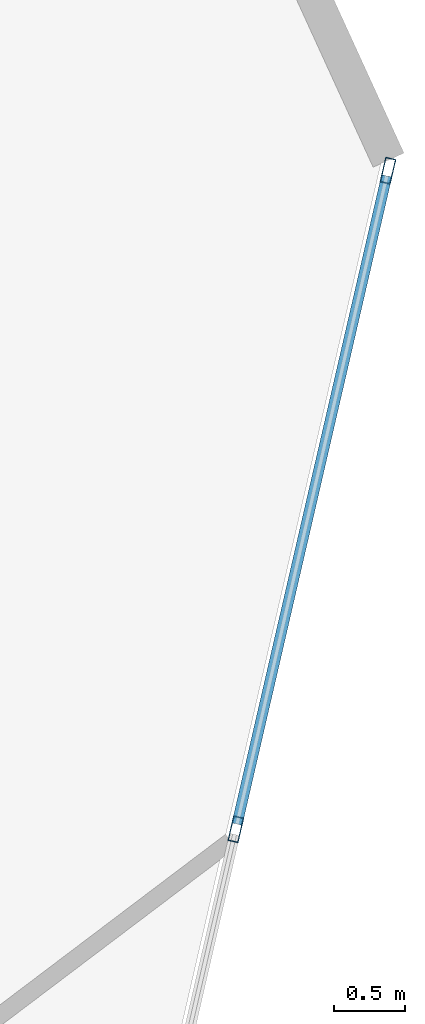
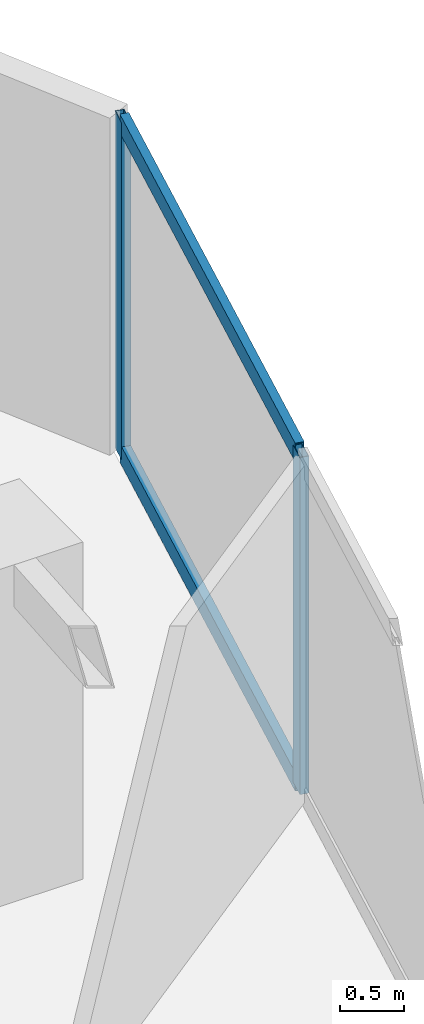
# One storey, part 11 of 18: 4 members, 1 element without a shape of its own.
"""IFC4 building model written with IfcOpenShell, lengths in metres."""

from ifc_helpers import new_model, si_unit, direction, frame, origin, origin_2d, place, context, subcontext, project, spatial, hollow_rectangle, extrude, source, transform, mapped, material, layer, layer_set, material_profile, profile_set, type_object, type_shapes, element, aggregate, save


model = new_model("IFC4")

# Units and contexts
model_context = context("Model", 3, precision=1e-05, world=origin(), true_north=direction((0.0, 1.0)))
body_context = subcontext(model_context, "Body", "Model", "MODEL_VIEW")
ifc_project = project(units=[si_unit("LENGTHUNIT", "METRE"), si_unit("AREAUNIT", "SQUARE_METRE"), si_unit("VOLUMEUNIT", "CUBIC_METRE"), si_unit("PLANEANGLEUNIT", "RADIAN"), si_unit("MASSUNIT", "GRAM", prefix="KILO")], contexts=[model_context])

# Site, building, storey
site_placement = place(None, origin())
site = spatial("IfcSite", under=ifc_project, at=site_placement, CompositionType="ELEMENT")
building_placement = place(site_placement, origin())
building = spatial("IfcBuilding", under=site, at=building_placement, Name="Talar Marvaseh", CompositionType="ELEMENT")
storey_placement = place(building_placement, frame((0.0, 0.0, 188.0)))
storey = spatial("IfcBuildingStorey", under=building, at=storey_placement, Name="L49", CompositionType="ELEMENT", Elevation=188.0)

# Curtain wall, members
ifc_material = material(Name="Architectural Aluminium", Category="aluminium")
ifc_layer = layer(ifc_material, 0.18994140625)
ifc_layer_set = layer_set([ifc_layer], Name="Architectural Aluminium")
curtain_wall_type = type_object("IfcCurtainWallType", Name="Unitised Solar Atelier Curtain Wall Z3", PredefinedType="NOTDEFINED", material=ifc_layer_set)
curtain_wall_placement = place(storey_placement, origin())
curtain_wall = element("IfcCurtainWall", 1, at=curtain_wall_placement, inside=storey, type_object=curtain_wall_type, Name="L49 Unitised Solar Atelier Curtain Wall Z3", PredefinedType="NOTDEFINED")
ifc_material_profile_1 = material_profile(ifc_material, hollow_rectangle(XDim=0.074951171875, YDim=0.179931640625, WallThickness=0.0048828125, at=origin_2d()), Name="RHS180x75x5")
ifc_profile_set_1 = profile_set([ifc_material_profile_1], Name="Architectural Aluminium")
member_type_1 = type_object("IfcMemberType", Name="Unitised Curtain Wall Standard Mullion RHS180x75x5", PredefinedType="MULLION", material=ifc_profile_set_1)
shared_shape_1 = source(origin(), body_context, "Body", "SweptSolid", [
    extrude(hollow_rectangle(XDim=0.074951171875, YDim=0.179931640625, WallThickness=0.0048828125, at=origin_2d()), origin(), (0.0, 0.0, 1.0), 3.22998046875),
])
type_shapes(member_type_1, [shared_shape_1])
member_1_placement = place(storey_placement, frame((42.798828125, 39.274169921875, 0.0), z_axis=(0.0, 0.0, 1.0), x_axis=(0.974335154995, -0.225102211765, 0.0)))
member_1 = element("IfcMember", 2, at=member_1_placement, type_object=member_type_1, Name="CW-Z3 mullion 1", PredefinedType="MULLION", context=body_context, shape_type="MappedRepresentation", body=[
    mapped(shared_shape_1, transform((0.0, 0.0, 0.0), x_axis=(1.0, 0.0, 0.0), y_axis=(0.0, 1.0, 0.0), z_axis=(0.0, 0.0, 1.0), scale=1.0)),
])
member_2_placement = place(storey_placement, frame((41.7216796875, 34.6123046875, 0.0), z_axis=(0.0, 0.0, 1.0), x_axis=(0.974335154995, -0.225102211765, 0.0)))
member_2 = element("IfcMember", 3, at=member_2_placement, type_object=member_type_1, Name="CW-Z3 mullion 2", PredefinedType="MULLION", context=body_context, shape_type="MappedRepresentation", body=[
    mapped(shared_shape_1, transform((0.0, 0.0, 0.0), x_axis=(1.0, 0.0, 0.0), y_axis=(0.0, 1.0, 0.0), z_axis=(0.0, 0.0, 1.0), scale=1.0)),
])
ifc_material_profile_2 = material_profile(ifc_material, hollow_rectangle(XDim=0.074951171875, YDim=0.179931640625, WallThickness=0.0048828125, at=origin_2d()), Name="RHS180x75x5")
ifc_profile_set_2 = profile_set([ifc_material_profile_2], Name="Architectural Aluminium")
member_type_2 = type_object("IfcMemberType", Name="Unitised Curtain Wall Transom RHS180x75x5", PredefinedType="USERDEFINED", material=ifc_profile_set_2)
shared_shape_2 = source(origin(), body_context, "Body", "SweptSolid", [
    extrude(hollow_rectangle(XDim=0.074951171875, YDim=0.179931640625, WallThickness=0.0048828125, at=origin_2d()), origin(), (0.0, 0.0, 1.0), 4.70947265625),
])
type_shapes(member_type_2, [shared_shape_2])
member_3_placement = place(storey_placement, frame((42.790283203125, 39.237548828125, 0.03759765625), z_axis=(-0.225090451697, -0.974337871867, 0.0), x_axis=(0.974337871867, -0.225090451697, 0.0)))
member_3 = element("IfcMember", 4, at=member_3_placement, type_object=member_type_2, Name="CW-Z3 transom 1.1", ObjectType="TRANSOM", PredefinedType="USERDEFINED", context=body_context, shape_type="MappedRepresentation", body=[
    mapped(shared_shape_2, transform((0.0, 0.0, 0.0), x_axis=(1.0, 0.0, 0.0), y_axis=(0.0, 1.0, 0.0), z_axis=(0.0, 0.0, 1.0), scale=1.0)),
])
member_4_placement = place(storey_placement, frame((42.790283203125, 39.237548828125, 3.1923828125), z_axis=(-0.225090451697, -0.974337871867, 0.0), x_axis=(0.974337871867, -0.225090451697, 0.0)))
member_4 = element("IfcMember", 5, at=member_4_placement, type_object=member_type_2, Name="CW-Z3 transom 1.2", ObjectType="TRANSOM", PredefinedType="USERDEFINED", context=body_context, shape_type="MappedRepresentation", body=[
    mapped(shared_shape_2, transform((0.0, 0.0, 0.0), x_axis=(1.0, 0.0, 0.0), y_axis=(0.0, 1.0, 0.0), z_axis=(0.0, 0.0, 1.0), scale=1.0)),
])
aggregate(curtain_wall, [member_1, member_2, member_3, member_4])

save(model, "model.ifc")
